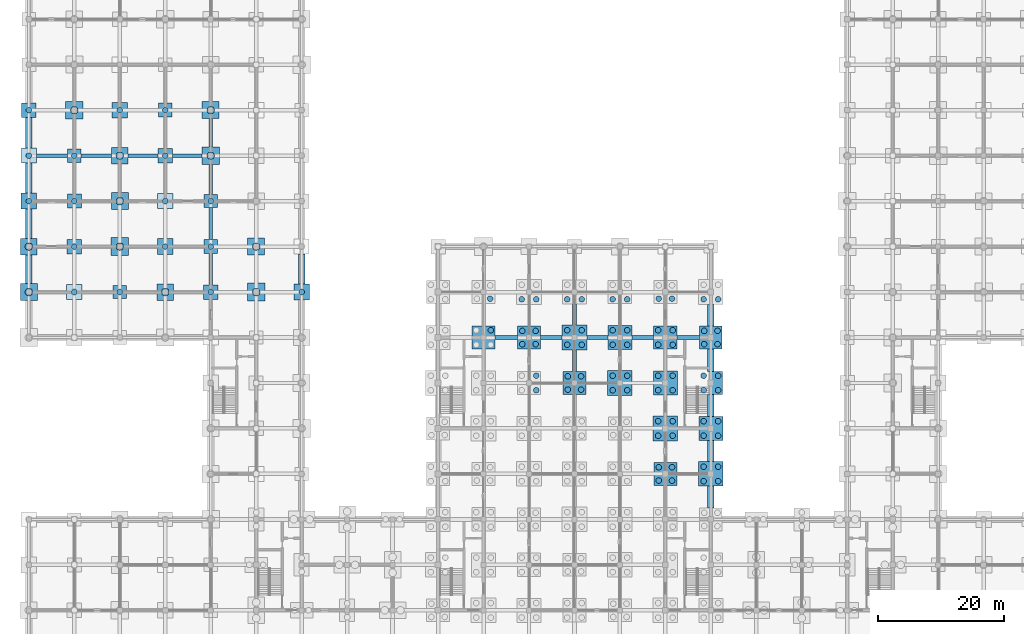
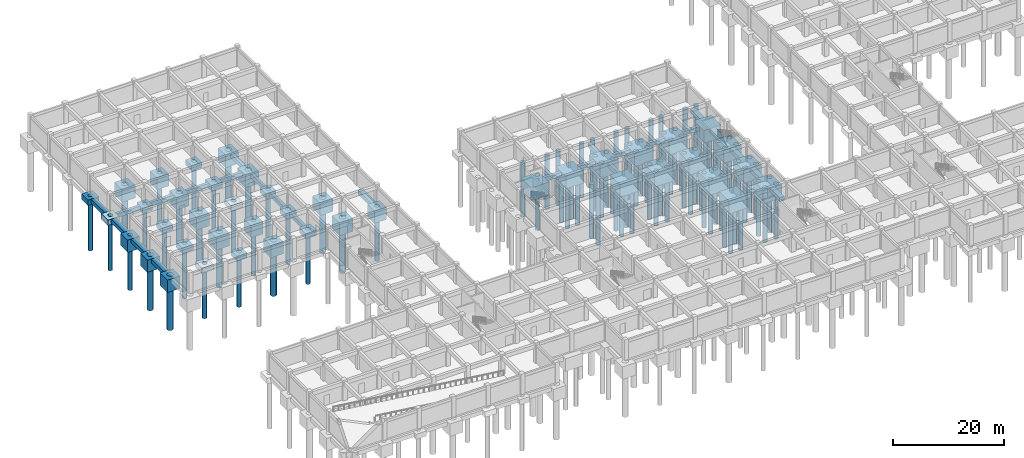
# One storey, part 4 of 25: 94 piles, 67 footings.
"""IFC4 building model written with IfcOpenShell, lengths in metres."""

import ifcopenshell
import ifcopenshell.guid

model = None  # the IFC model being written
_history = None  # IfcOwnerHistory: only IFC2X3 demands one
_inside = {}  # id of a spatial element -> (the spatial element, [elements in it])
_under = {}  # id of a project, library or spatial element -> (it, [spatial elements below it])
_declared = {}  # id of a project -> (the project, [libraries it declares])
_typed = {}  # id of a type object -> (the type object, [elements of that type])
_made_of = {}  # id of a material, layer set ... -> (it, [elements and type objects made of it])


def new_model(schema):
    """Start an empty IFC model of exactly this schema.

    Asked for "IFC4X3", IfcOpenShell would pick the latest addendum, in which some entities
    have other attributes; the version numbers below select the first issue.
    IFC2X3 requires an IfcOwnerHistory on every rooted entity: one is made here for all.
    """
    global model, _history
    if schema == "IFC4X3":
        model = ifcopenshell.file(schema_version=(4, 3, 0, 0))
    else:
        model = ifcopenshell.file(schema=schema)
    _inside.clear()
    _under.clear()
    _declared.clear()
    _typed.clear()
    _made_of.clear()
    _history = None
    if model.schema == "IFC2X3":
        org = make("IfcOrganization", Name="unknown")
        user = make(
            "IfcPersonAndOrganization",
            ThePerson=make("IfcPerson", FamilyName="unknown"),
            TheOrganization=org,
        )
        app = make(
            "IfcApplication",
            ApplicationDeveloper=org,
            Version="unknown",
            ApplicationFullName="unknown",
            ApplicationIdentifier="unknown",
        )
        _history = make(
            "IfcOwnerHistory",
            OwningUser=user,
            OwningApplication=app,
            ChangeAction="ADDED",
            CreationDate=0,
        )
    return model


def make(cls, **values):
    """One entity of the class cls with the attributes given. An attribute that is None is left unset."""
    return model.create_entity(
        cls, **{name: value for name, value in values.items() if value is not None}
    )


def rooted(cls, **values):
    """An entity with a GlobalId (a new one), such as an element, a storey or a relation."""
    return make(cls, GlobalId=ifcopenshell.guid.new(), OwnerHistory=_history, **values)


def si_unit(unit_type, name, prefix=None):
    """IfcSIUnit, for example si_unit("LENGTHUNIT", "METRE", prefix="MILLI")."""
    return make("IfcSIUnit", UnitType=unit_type, Prefix=prefix, Name=name)


def assignment(units):
    """IfcUnitAssignment: the units of a project."""
    return None if units is None else make("IfcUnitAssignment", Units=units)


def point(xyz):
    """IfcCartesianPoint."""
    return None if xyz is None else make("IfcCartesianPoint", Coordinates=xyz)


def direction(xyz):
    """IfcDirection."""
    return None if xyz is None else make("IfcDirection", DirectionRatios=xyz)


def frame(location, z_axis=None, x_axis=None):
    """IfcAxis2Placement3D, a coordinate frame: its origin and axes. An axis left out is left unset."""
    return make(
        "IfcAxis2Placement3D",
        Location=point(location),
        Axis=direction(z_axis),
        RefDirection=direction(x_axis),
    )


def frame_2d(location, x_axis=None):
    """IfcAxis2Placement2D, a coordinate frame in the plane: its origin and x axis."""
    return make(
        "IfcAxis2Placement2D", Location=point(location), RefDirection=direction(x_axis)
    )


def origin():
    """The frame at (0, 0, 0) with its axes left unset."""
    return frame((0.0, 0.0, 0.0))


def origin_2d():
    """The frame at (0, 0) in the plane with its x axis left unset."""
    return frame_2d((0.0, 0.0))


def place(relative_to, where):
    """IfcLocalPlacement: puts the frame where relative to a parent placement (None: the world)."""
    return make(
        "IfcLocalPlacement", PlacementRelTo=relative_to, RelativePlacement=where
    )


def context(
    kind, dimensions, precision=None, world=None, true_north=None, identifier=None
):
    """IfcGeometricRepresentationContext, for example the 3D "Model" context."""
    return make(
        "IfcGeometricRepresentationContext",
        ContextIdentifier=identifier,
        ContextType=kind,
        CoordinateSpaceDimension=dimensions,
        Precision=precision,
        WorldCoordinateSystem=world,
        TrueNorth=true_north,
    )


def subcontext(parent, identifier, kind, view, scale=None):
    """IfcGeometricRepresentationSubContext, for example "Body" below "Model"."""
    return make(
        "IfcGeometricRepresentationSubContext",
        ContextIdentifier=identifier,
        ContextType=kind,
        ParentContext=parent,
        TargetScale=scale,
        TargetView=view,
    )


def project(units=None, contexts=None):
    """IfcProject with its units and contexts."""
    return rooted(
        "IfcProject",
        Name="project",
        RepresentationContexts=contexts,
        UnitsInContext=assignment(units),
    )


def spatial(cls, under=None, at=None, **own):
    """A site, building, storey or space (cls), placed at a placement, below another one or the project."""
    s = rooted(cls, ObjectPlacement=at, **own)
    if under is not None:
        _under.setdefault(under.id(), (under, []))[1].append(s)
    return s


def profile(cls, at=None, kind="AREA", **sizes):
    """A parametric profile (cls). Its sizes go by their IFC names, for example OverallWidth=200.0."""
    return make(cls, ProfileType=kind, Position=at, **sizes)


def rectangle(**sizes):
    """IfcRectangleProfileDef."""
    return profile("IfcRectangleProfileDef", **sizes)


def circle(**sizes):
    """IfcCircleProfileDef."""
    return profile("IfcCircleProfileDef", **sizes)


def extrude(swept, where, along, depth):
    """IfcExtrudedAreaSolid: the profile swept, set in the frame where, extruded along a direction by depth."""
    return make(
        "IfcExtrudedAreaSolid",
        SweptArea=swept,
        Position=where,
        ExtrudedDirection=direction(along),
        Depth=depth,
    )


def shape(context_of_items, identifier, shape_type, items):
    """IfcShapeRepresentation: the items that make up one representation, for example the "Body"."""
    return make(
        "IfcShapeRepresentation",
        ContextOfItems=context_of_items,
        RepresentationIdentifier=identifier,
        RepresentationType=shape_type,
        Items=items,
    )


def material(Name=None, Category=None):
    """IfcMaterial."""
    return make("IfcMaterial", Name=Name, Category=Category)


def material_profile(
    of_material, cross_section, Name=None, Category=None, Priority=None
):
    """IfcMaterialProfile: a cross section and its material."""
    return make(
        "IfcMaterialProfile",
        Name=Name,
        Material=of_material,
        Profile=cross_section,
        Priority=Priority,
        Category=Category,
    )


def profile_set(profiles, Name=None, composite=None):
    """IfcMaterialProfileSet."""
    return make(
        "IfcMaterialProfileSet",
        Name=Name,
        MaterialProfiles=profiles,
        CompositeProfile=composite,
    )


def made_of(thing, what):
    """Note that an element or type object is made of a material, layer set ...; save() writes the relation."""
    if what is not None:
        _made_of.setdefault(what.id(), (what, []))[1].append(thing)
    return thing


def type_object(cls, material=None, **own):
    """A type object (cls), such as IfcWallType, which elements share."""
    return made_of(rooted(cls, **own), material)


def element(
    cls,
    number,
    at=None,
    inside=None,
    cuts=None,
    type_object=None,
    material=None,
    context=None,
    identifier="Body",
    shape_type=None,
    held_by="IfcProductDefinitionShape",
    body=None,
    shapes=None,
    **own,
):
    """One element of the class cls, such as IfcWall. Its Tag is "e" and its number.

    at: its placement. inside: the storey or other place that contains it. cuts: it is an
    opening in that element (IfcRelVoidsElement). A single representation is given by context,
    identifier, shape_type and body (its items); several are given by shapes. held_by: the class
    of the entity that holds the representations. save() writes the other relations.
    """
    e = rooted(cls, Tag="e%d" % number, ObjectPlacement=at, **own)
    if body is not None:
        shapes = [shape(context, identifier, shape_type, body)]
    if shapes is not None:
        e.Representation = make(held_by, Representations=shapes)
    if inside is not None:
        _inside.setdefault(inside.id(), (inside, []))[1].append(e)
    if cuts is not None:
        rooted(
            "IfcRelVoidsElement", RelatingBuildingElement=cuts, RelatedOpeningElement=e
        )
    if type_object is not None:
        _typed.setdefault(type_object.id(), (type_object, []))[1].append(e)
    return made_of(e, material)


def aggregate(whole, parts):
    """IfcRelAggregates: a whole, such as a stair, and the parts it consists of."""
    return rooted("IfcRelAggregates", RelatingObject=whole, RelatedObjects=parts)


def save(model, path):
    """Write the relations noted so far, then the file.

    IfcRelAggregates (storeys below a building ...), IfcRelContainedInSpatialStructure (elements
    in a storey), IfcRelDefinesByType, IfcRelAssociatesMaterial and IfcRelDeclares: one each for
    every whole, place, type object, material and project.
    """
    for whole, parts in _under.values():
        aggregate(whole, parts)
    for where, things in _inside.values():
        rooted(
            "IfcRelContainedInSpatialStructure",
            RelatedElements=things,
            RelatingStructure=where,
        )
    for kind, things in _typed.values():
        rooted("IfcRelDefinesByType", RelatedObjects=things, RelatingType=kind)
    for what, things in _made_of.values():
        rooted("IfcRelAssociatesMaterial", RelatedObjects=things, RelatingMaterial=what)
    for by, libraries in _declared.values():
        rooted("IfcRelDeclares", RelatingContext=by, RelatedDefinitions=libraries)
    model.write(path)


model = new_model("IFC4")

# Units and contexts
model_context = context("Model", 3, precision=1e-05, world=origin(), true_north=direction((0.0, 1.0)))
body_context = subcontext(model_context, "Body", "Model", "MODEL_VIEW")
ifc_project = project(units=[si_unit("LENGTHUNIT", "METRE"), si_unit("AREAUNIT", "SQUARE_METRE"), si_unit("VOLUMEUNIT", "CUBIC_METRE"), si_unit("PLANEANGLEUNIT", "RADIAN"), si_unit("MASSUNIT", "GRAM", prefix="KILO")], contexts=[model_context])

# Site, building, storey
site_placement = place(None, origin())
site = spatial("IfcSite", under=ifc_project, at=site_placement, CompositionType="ELEMENT")
building_placement = place(site_placement, origin())
building = spatial("IfcBuilding", under=site, at=building_placement, Name="Cendaluz Park School", CompositionType="ELEMENT")
storey_placement = place(building_placement, frame((0.0, 0.0, -4.5)))
storey = spatial("IfcBuildingStorey", under=building, at=storey_placement, Name="B1", CompositionType="ELEMENT", Elevation=-4.5)

# Piles
ifc_material = material(Name="Concrete C40/50", Category="concrete")
ifc_material_profile_1 = material_profile(ifc_material, circle(Radius=0.449951171875, at=origin_2d()), Name="BP D900", Category="concrete")
ifc_profile_set_1 = profile_set([ifc_material_profile_1], Name="Concrete C40/50")
pile_type_1 = type_object("IfcPileType", Name="BP-01", PredefinedType="BORED", material=ifc_profile_set_1)
for number, where, z_axis, x_axis, name in (
    (1, (0.0, 79.199951171875, -0.5), (0.0, 0.0, -1.0), (1.0, 0.0, 0.0), "PL-B1-009"),
    (2, (0.0, 86.39990234375, -0.5), (0.0, 0.0, -1.0), (1.0, 0.0, 0.0), "PL-B1-010"),
    (3, (0.0, 93.60009765625, -0.5), (0.0, 0.0, -1.0), (1.0, 0.0, 0.0), "PL-B1-011"),
    (4, (7.199951171875, 64.800048828125, -0.5), (0.0, 0.0, -1.0), (1.0, 0.0, 0.0), "PL-B1-021"),
    (5, (7.199951171875, 72.0, -0.5), (0.0, 0.0, -1.0), (1.0, 0.0, 0.0), "PL-B1-022"),
    (6, (7.199951171875, 79.199951171875, -0.5), (0.0, 0.0, -1.0), (1.0, 0.0, 0.0), "PL-B1-023"),
    (7, (7.199951171875, 86.39990234375, -0.5), (0.0, 0.0, -1.0), (1.0, 0.0, 0.0), "PL-B1-024"),
    (8, (14.39990234375, 64.800048828125, -0.5), (0.0, 0.0, -1.0), (1.0, 0.0, 0.0), "PL-B1-035"),
    (9, (14.39990234375, 93.60009765625, -0.5), (0.0, 0.0, -1.0), (1.0, 0.0, 0.0), "PL-B1-039"),
    (10, (21.60009765625, 72.0, -0.5), (0.0, 0.0, -1.0), (1.0, 0.0, 0.0), "PL-B1-050"),
    (11, (21.60009765625, 79.199951171875, -0.5), (0.0, 0.0, -1.0), (1.0, 0.0, 0.0), "PL-B1-051"),
    (12, (21.60009765625, 86.39990234375, -0.5), (0.0, 0.0, -1.0), (1.0, 0.0, 0.0), "PL-B1-052"),
    (13, (21.60009765625, 93.60009765625, -0.5), (0.0, 0.0, -1.0), (1.0, 0.0, 0.0), "PL-B1-053"),
    (14, (28.800048828125, 64.800048828125, -0.5), (0.0, 0.0, -1.0), (1.0, 0.0, 0.0), "PL-B1-066"),
    (15, (28.800048828125, 72.0, -0.5), (0.0, 0.0, -1.0), (1.0, 0.0, 0.0), "PL-B1-067"),
    (16, (28.800048828125, 79.199951171875, -0.5), (0.0, 0.0, -1.0), (1.0, 0.0, 0.0), "PL-B1-068"),
    (17, (43.199951171875, 64.800048828125, -0.5), (0.0, 0.0, -1.0), (1.0, 0.0, 0.0), "PL-B1-108"),
    (18, (73.14990234375, 58.75, -0.5), (0.0, 0.0, -1.0), (1.0, 0.0, 0.0), "PL-B1-199"),
    (19, (73.050048828125, 63.75, -0.5), (0.0, 0.0, -1.0), (1.0, 0.0, 0.0), "PL-B1-201"),
    (20, (80.35009765625, 49.25, -0.5), (0.0, 0.0, -1.0), (1.0, 0.0, 0.0), "PL-B1-229"),
    (21, (80.35009765625, 51.550048828125, -0.5), (0.0, 0.0, -1.0), (1.0, 0.0, 0.0), "PL-B1-231"),
    (22, (78.14990234375, 56.550048828125, -0.5), (0.0, 0.0, -1.0), (1.0, 0.0, 0.0), "PL-B1-232"),
    (23, (80.25, 56.550048828125, -0.5), (0.0, 0.0, -1.0), (1.0, 0.0, 0.0), "PL-B1-233"),
    (24, (78.14990234375, 58.64990234375, -0.5), (0.0, 0.0, -1.0), (1.0, 0.0, 0.0), "PL-B1-234"),
    (25, (80.25, 58.64990234375, -0.5), (0.0, 0.0, -1.0), (1.0, 0.0, 0.0), "PL-B1-235"),
    (26, (78.050048828125, 63.64990234375, -0.5), (0.0, 0.0, -1.0), (1.0, 0.0, 0.0), "PL-B1-236"),
    (27, (80.35009765625, 63.64990234375, -0.5), (0.0, 0.0, -1.0), (1.0, 0.0, 0.0), "PL-B1-237"),
    (28, (85.35009765625, 49.35009765625, -0.5), (0.0, 0.0, -1.0), (1.0, 0.0, 0.0), "PL-B1-264"),
    (29, (87.449951171875, 49.35009765625, -0.5), (0.0, 0.0, -1.0), (1.0, 0.0, 0.0), "PL-B1-265"),
    (30, (85.35009765625, 51.449951171875, -0.5), (0.0, 0.0, -1.0), (1.0, 0.0, 0.0), "PL-B1-266"),
    (31, (87.449951171875, 51.449951171875, -0.5), (0.0, 0.0, -1.0), (1.0, 0.0, 0.0), "PL-B1-267"),
    (32, (85.25, 56.449951171875, -0.5), (0.0, 0.0, -1.0), (1.0, 0.0, 0.0), "PL-B1-268"),
    (33, (87.550048828125, 56.449951171875, -0.5), (0.0, 0.0, -1.0), (1.0, 0.0, 0.0), "PL-B1-269"),
    (34, (85.25, 58.75, -0.5), (0.0, 0.0, -1.0), (1.0, 0.0, 0.0), "PL-B1-270"),
    (35, (87.550048828125, 58.75, -0.5), (0.0, 0.0, -1.0), (1.0, 0.0, 0.0), "PL-B1-271"),
    (36, (85.25, 63.64990234375, -0.5), (0.0, 0.0, -1.0), (1.0, 0.0, 0.0), "PL-B1-272"),
    (37, (87.550048828125, 63.64990234375, -0.5), (0.0, 0.0, -1.0), (1.0, 0.0, 0.0), "PL-B1-273"),
    (38, (92.449951171875, 49.25, -0.5), (0.0, 0.0, -1.0), (1.0, 0.0, 0.0), "PL-B1-300"),
    (39, (94.75, 49.25, -0.5), (0.0, 0.0, -1.0), (1.0, 0.0, 0.0), "PL-B1-301"),
    (40, (92.449951171875, 51.550048828125, -0.5), (0.0, 0.0, -1.0), (1.0, 0.0, 0.0), "PL-B1-302"),
    (41, (94.75, 51.550048828125, -0.5), (0.0, 0.0, -1.0), (1.0, 0.0, 0.0), "PL-B1-303"),
    (42, (92.449951171875, 56.449951171875, -0.5), (0.0, 0.0, -1.0), (1.0, 0.0, 0.0), "PL-B1-304"),
    (43, (94.75, 56.449951171875, -0.5), (0.0, 0.0, -1.0), (1.0, 0.0, 0.0), "PL-B1-305"),
    (44, (92.449951171875, 58.75, -0.5), (0.0, 0.0, -1.0), (1.0, 0.0, 0.0), "PL-B1-306"),
    (45, (94.75, 58.75, -0.5), (0.0, 0.0, -1.0), (1.0, 0.0, 0.0), "PL-B1-307"),
    (46, (92.449951171875, 63.64990234375, -0.5), (0.0, 0.0, -1.0), (1.0, 0.0, 0.0), "PL-B1-308"),
    (47, (94.75, 63.64990234375, -0.5), (0.0, 0.0, -1.0), (1.0, 0.0, 0.0), "PL-B1-309"),
    (48, (99.75, 34.949951171875, -0.5), (0.0, 0.0, -1.0), (1.0, 0.0, 0.0), "PL-B1-328"),
    (49, (101.85009765625, 34.949951171875, -0.5), (0.0, 0.0, -1.0), (1.0, 0.0, 0.0), "PL-B1-329"),
    (50, (99.75, 37.050048828125, -0.5), (0.0, 0.0, -1.0), (1.0, 0.0, 0.0), "PL-B1-330"),
    (51, (101.85009765625, 37.050048828125, -0.5), (0.0, 0.0, -1.0), (1.0, 0.0, 0.0), "PL-B1-331"),
    (52, (99.64990234375, 42.050048828125, -0.5), (0.0, 0.0, -1.0), (1.0, 0.0, 0.0), "PL-B1-332"),
    (53, (101.949951171875, 42.050048828125, -0.5), (0.0, 0.0, -1.0), (1.0, 0.0, 0.0), "PL-B1-333"),
    (54, (99.64990234375, 44.35009765625, -0.5), (0.0, 0.0, -1.0), (1.0, 0.0, 0.0), "PL-B1-334"),
    (55, (101.949951171875, 44.35009765625, -0.5), (0.0, 0.0, -1.0), (1.0, 0.0, 0.0), "PL-B1-335"),
    (56, (99.64990234375, 49.25, -0.5), (0.0, 0.0, -1.0), (1.0, 0.0, 0.0), "PL-B1-336"),
    (57, (101.949951171875, 49.25, -0.5), (0.0, 0.0, -1.0), (1.0, 0.0, 0.0), "PL-B1-337"),
    (58, (99.64990234375, 51.550048828125, -0.5), (0.0, 0.0, -1.0), (1.0, 0.0, 0.0), "PL-B1-338"),
    (59, (101.949951171875, 51.550048828125, -0.5), (0.0, 0.0, -1.0), (1.0, 0.0, 0.0), "PL-B1-339"),
    (60, (99.64990234375, 56.449951171875, -0.5), (0.0, 0.0, -1.0), (1.0, 0.0, 0.0), "PL-B1-340"),
    (61, (101.949951171875, 56.449951171875, -0.5), (0.0, 0.0, -1.0), (1.0, 0.0, 0.0), "PL-B1-341"),
    (62, (99.64990234375, 58.75, -0.5), (0.0, 0.0, -1.0), (1.0, 0.0, 0.0), "PL-B1-342"),
    (63, (101.949951171875, 58.75, -0.5), (0.0, 0.0, -1.0), (1.0, 0.0, 0.0), "PL-B1-343"),
    (64, (99.75, 63.75, -0.5), (0.0, 0.0, -1.0), (1.0, 0.0, 0.0), "PL-B1-344"),
    (65, (101.85009765625, 63.75, -0.5), (0.0, 0.0, -1.0), (1.0, 0.0, 0.0), "PL-B1-345"),
    (66, (106.85009765625, 34.85009765625, -0.5), (0.0, 0.0, -1.0), (1.0, 0.0, 0.0), "PL-B1-364"),
    (67, (109.14990234375, 34.85009765625, -0.5), (0.0, 0.0, -1.0), (1.0, 0.0, 0.0), "PL-B1-365"),
    (68, (106.85009765625, 37.14990234375, -0.5), (0.0, 0.0, -1.0), (1.0, 0.0, 0.0), "PL-B1-366"),
    (69, (109.14990234375, 37.14990234375, -0.5), (0.0, 0.0, -1.0), (1.0, 0.0, 0.0), "PL-B1-367"),
    (70, (106.85009765625, 42.050048828125, -0.5), (0.0, 0.0, -1.0), (1.0, 0.0, 0.0), "PL-B1-368"),
    (71, (109.14990234375, 42.050048828125, -0.5), (0.0, 0.0, -1.0), (1.0, 0.0, 0.0), "PL-B1-369"),
    (72, (106.85009765625, 44.35009765625, -0.5), (0.0, 0.0, -1.0), (1.0, 0.0, 0.0), "PL-B1-370"),
    (73, (109.14990234375, 44.35009765625, -0.5), (0.0, 0.0, -1.0), (1.0, 0.0, 0.0), "PL-B1-371"),
    (74, (106.85009765625, 49.25, -0.5), (0.0, 0.0, -1.0), (1.0, 0.0, 0.0), "PL-B1-372"),
    (75, (109.14990234375, 49.25, -0.5), (0.0, 0.0, -1.0), (1.0, 0.0, 0.0), "PL-B1-373"),
    (76, (106.85009765625, 51.550048828125, -0.5), (0.0, 0.0, -1.0), (1.0, 0.0, 0.0), "PL-B1-374"),
    (77, (109.14990234375, 51.550048828125, -0.5), (0.0, 0.0, -1.0), (1.0, 0.0, 0.0), "PL-B1-375"),
    (78, (106.949951171875, 56.550048828125, -0.5), (0.0, 0.0, -1.0), (1.0, 0.0, 0.0), "PL-B1-376"),
    (79, (109.050048828125, 56.550048828125, -0.5), (0.0, 0.0, -1.0), (1.0, 0.0, 0.0), "PL-B1-377"),
    (80, (106.949951171875, 58.64990234375, -0.5), (0.0, 0.0, -1.0), (1.0, 0.0, 0.0), "PL-B1-378"),
    (81, (109.050048828125, 58.64990234375, -0.5), (0.0, 0.0, -1.0), (1.0, 0.0, 0.0), "PL-B1-379"),
    (82, (106.85009765625, 63.64990234375, -0.5), (0.0, 0.0, -1.0), (1.0, 0.0, 0.0), "PL-B1-380"),
    (83, (109.14990234375, 63.64990234375, -0.5), (0.0, 0.0, -1.0), (1.0, 0.0, 0.0), "PL-B1-381"),
):
    element("IfcPile", number, at=place(storey_placement, frame(where, z_axis=z_axis, x_axis=x_axis)), inside=storey, type_object=pile_type_1, Name=name, PredefinedType="BORED", context=body_context, shape_type="SweptSolid", body=[
        extrude(circle(Radius=0.449951171875, at=origin_2d()), origin(), (0.0, 0.0, 1.0), 12.0),
    ])
ifc_material_profile_2 = material_profile(ifc_material, circle(Radius=0.60009765625, at=origin_2d()), Name="BP D1200", Category="concrete")
ifc_profile_set_2 = profile_set([ifc_material_profile_2], Name="Concrete C40/50")
pile_type_2 = type_object("IfcPileType", Name="BP-02", PredefinedType="BORED", material=ifc_profile_set_2)
for number, where, z_axis, x_axis, name in (
    (84, (0.0, 64.800048828125, -0.5), (0.0, 0.0, -1.0), (1.0, 0.0, 0.0), "PL-B1-007"),
    (85, (0.0, 72.0, -0.5), (0.0, 0.0, -1.0), (1.0, 0.0, 0.0), "PL-B1-008"),
    (86, (7.199951171875, 93.60009765625, -0.5), (0.0, 0.0, -1.0), (1.0, 0.0, 0.0), "PL-B1-025"),
    (87, (14.39990234375, 72.0, -0.5), (0.0, 0.0, -1.0), (1.0, 0.0, 0.0), "PL-B1-036"),
    (88, (14.39990234375, 79.199951171875, -0.5), (0.0, 0.0, -1.0), (1.0, 0.0, 0.0), "PL-B1-037"),
    (89, (14.39990234375, 86.39990234375, -0.5), (0.0, 0.0, -1.0), (1.0, 0.0, 0.0), "PL-B1-038"),
    (90, (21.60009765625, 64.800048828125, -0.5), (0.0, 0.0, -1.0), (1.0, 0.0, 0.0), "PL-B1-049"),
    (91, (28.800048828125, 86.39990234375, -0.5), (0.0, 0.0, -1.0), (1.0, 0.0, 0.0), "PL-B1-069"),
    (92, (28.800048828125, 93.60009765625, -0.5), (0.0, 0.0, -1.0), (1.0, 0.0, 0.0), "PL-B1-070"),
    (93, (36.0, 64.800048828125, -0.5), (0.0, 0.0, -1.0), (1.0, 0.0, 0.0), "PL-B1-087"),
    (94, (36.0, 72.0, -0.5), (0.0, 0.0, -1.0), (1.0, 0.0, 0.0), "PL-B1-088"),
):
    element("IfcPile", number, at=place(storey_placement, frame(where, z_axis=z_axis, x_axis=x_axis)), inside=storey, type_object=pile_type_2, Name=name, PredefinedType="BORED", context=body_context, shape_type="SweptSolid", body=[
        extrude(circle(Radius=0.60009765625, at=origin_2d()), origin(), (0.0, 0.0, 1.0), 12.0),
    ])

# Footings
footing_type_1 = type_object("IfcFootingType", Name="FB-X335", PredefinedType="FOOTING_BEAM", material=ifc_material)
footing_1_placement = place(storey_placement, frame((90.02490234375, 57.60009765625, -1.39990234375), z_axis=(0.0, 0.0, 1.0), x_axis=(1.0, 0.0, 0.0)))
element("IfcFooting", 95, at=footing_1_placement, inside=storey, type_object=footing_type_1, Name="FT-B1-360", PredefinedType="FOOTING_BEAM", context=body_context, shape_type="SweptSolid", body=[
    extrude(rectangle(XDim=3.35009765625, YDim=0.60009765625, at=origin_2d()), origin(), (0.0, 0.0, 1.0), 0.89990234375),
])
footing_type_2 = type_object("IfcFootingType", Name="FB-X345", PredefinedType="FOOTING_BEAM", material=ifc_material)
for number, where, z_axis, x_axis, name in (
    (96, (82.72509765625, 57.60009765625, -1.39990234375), (0.0, 0.0, 1.0), (1.0, 0.0, 0.0), "FT-B1-356"),
    (97, (97.22509765625, 57.60009765625, -1.39990234375), (0.0, 0.0, 1.0), (1.0, 0.0, 0.0), "FT-B1-364"),
):
    element("IfcFooting", number, at=place(storey_placement, frame(where, z_axis=z_axis, x_axis=x_axis)), inside=storey, type_object=footing_type_2, Name=name, PredefinedType="FOOTING_BEAM", context=body_context, shape_type="SweptSolid", body=[
        extrude(rectangle(XDim=3.449951171875, YDim=0.60009765625, at=origin_2d()), origin(), (0.0, 0.0, 1.0), 0.89990234375),
    ])
footing_type_3 = type_object("IfcFootingType", Name="FB-X355", PredefinedType="FOOTING_BEAM", material=ifc_material)
for number, where, z_axis, x_axis, name in (
    (98, (75.625, 57.60009765625, -1.39990234375), (0.0, 0.0, 1.0), (1.0, 0.0, 0.0), "FT-B1-352"),
    (99, (104.425048828125, 57.60009765625, -1.39990234375), (0.0, 0.0, 1.0), (1.0, 0.0, 0.0), "FT-B1-368"),
):
    element("IfcFooting", number, at=place(storey_placement, frame(where, z_axis=z_axis, x_axis=x_axis)), inside=storey, type_object=footing_type_3, Name=name, PredefinedType="FOOTING_BEAM", context=body_context, shape_type="SweptSolid", body=[
        extrude(rectangle(XDim=3.550048828125, YDim=0.60009765625, at=origin_2d()), origin(), (0.0, 0.0, 1.0), 0.89990234375),
    ])
footing_type_4 = type_object("IfcFootingType", Name="FB-X465", PredefinedType="FOOTING_BEAM", material=ifc_material)
footing_2_placement = place(storey_placement, frame((25.074951171875, 86.39990234375, -1.39990234375), z_axis=(0.0, 0.0, 1.0), x_axis=(1.0, 0.0, 0.0)))
element("IfcFooting", 100, at=footing_2_placement, inside=storey, type_object=footing_type_4, Name="FT-B1-328", PredefinedType="FOOTING_BEAM", context=body_context, shape_type="SweptSolid", body=[
    extrude(rectangle(XDim=4.64990234375, YDim=0.60009765625, at=origin_2d()), origin(), (0.0, 0.0, 1.0), 0.89990234375),
])
footing_type_5 = type_object("IfcFootingType", Name="FB-X475", PredefinedType="FOOTING_BEAM", material=ifc_material)
footing_3_placement = place(storey_placement, frame((18.074951171875, 86.39990234375, -1.39990234375), z_axis=(0.0, 0.0, 1.0), x_axis=(1.0, 0.0, 0.0)))
element("IfcFooting", 101, at=footing_3_placement, inside=storey, type_object=footing_type_5, Name="FT-B1-323", PredefinedType="FOOTING_BEAM", context=body_context, shape_type="SweptSolid", body=[
    extrude(rectangle(XDim=4.75, YDim=0.60009765625, at=origin_2d()), origin(), (0.0, 0.0, 1.0), 0.89990234375),
])
footing_type_6 = type_object("IfcFootingType", Name="FB-X485", PredefinedType="FOOTING_BEAM", material=ifc_material)
footing_4_placement = place(storey_placement, frame((10.675048828125, 86.39990234375, -1.39990234375), z_axis=(0.0, 0.0, 1.0), x_axis=(1.0, 0.0, 0.0)))
element("IfcFooting", 102, at=footing_4_placement, inside=storey, type_object=footing_type_6, Name="FT-B1-318", PredefinedType="FOOTING_BEAM", context=body_context, shape_type="SweptSolid", body=[
    extrude(rectangle(XDim=4.85009765625, YDim=0.60009765625, at=origin_2d()), origin(), (0.0, 0.0, 1.0), 0.89990234375),
])
footing_type_7 = type_object("IfcFootingType", Name="FB-X495", PredefinedType="FOOTING_BEAM", material=ifc_material)
footing_5_placement = place(storey_placement, frame((3.675048828125, 86.39990234375, -1.39990234375), z_axis=(0.0, 0.0, 1.0), x_axis=(1.0, 0.0, 0.0)))
element("IfcFooting", 103, at=footing_5_placement, inside=storey, type_object=footing_type_7, Name="FT-B1-313", PredefinedType="FOOTING_BEAM", context=body_context, shape_type="SweptSolid", body=[
    extrude(rectangle(XDim=4.949951171875, YDim=0.60009765625, at=origin_2d()), origin(), (0.0, 0.0, 1.0), 0.89990234375),
])
footing_type_8 = type_object("IfcFootingType", Name="FB-Y335", PredefinedType="FOOTING_BEAM", material=ifc_material)
footing_6_placement = place(storey_placement, frame((86.39990234375, 61.22509765625, -1.39990234375), z_axis=(0.0, 0.0, 1.0), x_axis=(1.0, 0.0, 0.0)))
element("IfcFooting", 104, at=footing_6_placement, inside=storey, type_object=footing_type_8, Name="FT-B1-465", PredefinedType="FOOTING_BEAM", context=body_context, shape_type="SweptSolid", body=[
    extrude(rectangle(XDim=0.60009765625, YDim=3.35009765625, at=origin_2d()), origin(), (0.0, 0.0, 1.0), 0.89990234375),
])
footing_type_9 = type_object("IfcFootingType", Name="FB-Y345", PredefinedType="FOOTING_BEAM", material=ifc_material)
footing_7_placement = place(storey_placement, frame((86.39990234375, 53.925048828125, -1.39990234375), z_axis=(0.0, 0.0, 1.0), x_axis=(1.0, 0.0, 0.0)))
element("IfcFooting", 105, at=footing_7_placement, inside=storey, type_object=footing_type_9, Name="FT-B1-464", PredefinedType="FOOTING_BEAM", context=body_context, shape_type="SweptSolid", body=[
    extrude(rectangle(XDim=0.60009765625, YDim=3.449951171875, at=origin_2d()), origin(), (0.0, 0.0, 1.0), 0.89990234375),
])
footing_type_10 = type_object("IfcFootingType", Name="FB-Y445", PredefinedType="FOOTING_BEAM", material=ifc_material)
footing_8_placement = place(storey_placement, frame((28.800048828125, 90.02490234375, -1.39990234375), z_axis=(0.0, 0.0, 1.0), x_axis=(1.0, 0.0, 0.0)))
element("IfcFooting", 106, at=footing_8_placement, inside=storey, type_object=footing_type_10, Name="FT-B1-430", PredefinedType="FOOTING_BEAM", context=body_context, shape_type="SweptSolid", body=[
    extrude(rectangle(XDim=0.60009765625, YDim=4.449951171875, at=origin_2d()), origin(), (0.0, 0.0, 1.0), 0.89990234375),
])
footing_type_11 = type_object("IfcFootingType", Name="FB-Y475", PredefinedType="FOOTING_BEAM", material=ifc_material)
footing_9_placement = place(storey_placement, frame((28.800048828125, 82.625, -1.39990234375), z_axis=(0.0, 0.0, 1.0), x_axis=(1.0, 0.0, 0.0)))
element("IfcFooting", 107, at=footing_9_placement, inside=storey, type_object=footing_type_11, Name="FT-B1-429", PredefinedType="FOOTING_BEAM", context=body_context, shape_type="SweptSolid", body=[
    extrude(rectangle(XDim=0.60009765625, YDim=4.75, at=origin_2d()), origin(), (0.0, 0.0, 1.0), 0.89990234375),
])
footing_type_12 = type_object("IfcFootingType", Name="FB-Y495", PredefinedType="FOOTING_BEAM", material=ifc_material)
footing_10_placement = place(storey_placement, frame((28.800048828125, 68.425048828125, -1.39990234375), z_axis=(0.0, 0.0, 1.0), x_axis=(1.0, 0.0, 0.0)))
element("IfcFooting", 108, at=footing_10_placement, inside=storey, type_object=footing_type_12, Name="FT-B1-427", PredefinedType="FOOTING_BEAM", context=body_context, shape_type="SweptSolid", body=[
    extrude(rectangle(XDim=0.60009765625, YDim=4.949951171875, at=origin_2d()), origin(), (0.0, 0.0, 1.0), 0.89990234375),
])
footing_type_13 = type_object("IfcFootingType", Name="FB-Y505", PredefinedType="FOOTING_BEAM", material=ifc_material)
footing_11_placement = place(storey_placement, frame((28.800048828125, 75.625, -1.39990234375), z_axis=(0.0, 0.0, 1.0), x_axis=(1.0, 0.0, 0.0)))
element("IfcFooting", 109, at=footing_11_placement, inside=storey, type_object=footing_type_13, Name="FT-B1-428", PredefinedType="FOOTING_BEAM", context=body_context, shape_type="SweptSolid", body=[
    extrude(rectangle(XDim=0.60009765625, YDim=5.050048828125, at=origin_2d()), origin(), (0.0, 0.0, 1.0), 0.89990234375),
])
footing_type_14 = type_object("IfcFootingType", Name="PC-01", PredefinedType="PILE_CAP", material=ifc_material)
for number, where, z_axis, x_axis, name in (
    (110, (86.39990234375, 57.60009765625, -3.4501953125), (0.0, 0.0, 1.0), (1.0, 0.0, 0.0), "FT-B1-158"),
    (111, (93.60009765625, 50.39990234375, -3.4501953125), (0.0, 0.0, 1.0), (1.0, 0.0, 0.0), "FT-B1-168"),
    (112, (100.800048828125, 43.199951171875, -3.4501953125), (0.0, 0.0, 1.0), (1.0, 0.0, 0.0), "FT-B1-178"),
    (113, (108.0, 36.0, -3.4501953125), (0.0, 0.0, 1.0), (1.0, 0.0, 0.0), "FT-B1-188"),
):
    element("IfcFooting", number, at=place(storey_placement, frame(where, z_axis=z_axis, x_axis=x_axis)), inside=storey, type_object=footing_type_14, Name=name, PredefinedType="PILE_CAP", context=body_context, shape_type="SweptSolid", body=[
        extrude(rectangle(XDim=3.89990234375, YDim=3.89990234375, at=origin_2d()), origin(), (0.0, 0.0, 1.0), 2.949951171875),
    ])
footing_type_15 = type_object("IfcFootingType", Name="PC-02", PredefinedType="PILE_CAP", material=ifc_material)
for number, where, z_axis, x_axis, name in (
    (114, (93.60009765625, 57.60009765625, -3.39990234375), (0.0, 0.0, 1.0), (1.0, 0.0, 0.0), "FT-B1-169"),
    (115, (100.800048828125, 50.39990234375, -3.39990234375), (0.0, 0.0, 1.0), (1.0, 0.0, 0.0), "FT-B1-179"),
    (116, (108.0, 43.199951171875, -3.39990234375), (0.0, 0.0, 1.0), (1.0, 0.0, 0.0), "FT-B1-189"),
):
    element("IfcFooting", number, at=place(storey_placement, frame(where, z_axis=z_axis, x_axis=x_axis)), inside=storey, type_object=footing_type_15, Name=name, PredefinedType="PILE_CAP", context=body_context, shape_type="SweptSolid", body=[
        extrude(rectangle(XDim=3.800048828125, YDim=3.800048828125, at=origin_2d()), origin(), (0.0, 0.0, 1.0), 2.89990234375),
    ])
footing_type_16 = type_object("IfcFootingType", Name="PC-03", PredefinedType="PILE_CAP", material=ifc_material)
for number, where, z_axis, x_axis, name in (
    (117, (72.0, 57.60009765625, -3.35009765625), (0.0, 0.0, 1.0), (1.0, 0.0, 0.0), "FT-B1-136"),
    (118, (100.800048828125, 57.60009765625, -3.35009765625), (0.0, 0.0, 1.0), (1.0, 0.0, 0.0), "FT-B1-180"),
    (119, (108.0, 50.39990234375, -3.35009765625), (0.0, 0.0, 1.0), (1.0, 0.0, 0.0), "FT-B1-190"),
):
    element("IfcFooting", number, at=place(storey_placement, frame(where, z_axis=z_axis, x_axis=x_axis)), inside=storey, type_object=footing_type_16, Name=name, PredefinedType="PILE_CAP", context=body_context, shape_type="SweptSolid", body=[
        extrude(rectangle(XDim=3.699951171875, YDim=3.699951171875, at=origin_2d()), origin(), (0.0, 0.0, 1.0), 2.85009765625),
    ])
footing_type_17 = type_object("IfcFootingType", Name="PC-04", PredefinedType="PILE_CAP", material=ifc_material)
for number, where, z_axis, x_axis, name in (
    (120, (79.199951171875, 57.60009765625, -3.2998046875), (0.0, 0.0, 1.0), (1.0, 0.0, 0.0), "FT-B1-147"),
    (121, (86.39990234375, 50.39990234375, -3.2998046875), (0.0, 0.0, 1.0), (1.0, 0.0, 0.0), "FT-B1-157"),
    (122, (100.800048828125, 36.0, -3.2998046875), (0.0, 0.0, 1.0), (1.0, 0.0, 0.0), "FT-B1-177"),
    (123, (108.0, 57.60009765625, -3.2998046875), (0.0, 0.0, 1.0), (1.0, 0.0, 0.0), "FT-B1-191"),
):
    element("IfcFooting", number, at=place(storey_placement, frame(where, z_axis=z_axis, x_axis=x_axis)), inside=storey, type_object=footing_type_17, Name=name, PredefinedType="PILE_CAP", context=body_context, shape_type="SweptSolid", body=[
        extrude(rectangle(XDim=3.60009765625, YDim=3.60009765625, at=origin_2d()), origin(), (0.0, 0.0, 1.0), 2.800048828125),
    ])
footing_type_18 = type_object("IfcFootingType", Name="PC-09", PredefinedType="PILE_CAP", material=ifc_material)
for number, where, z_axis, x_axis, name in (
    (124, (7.199951171875, 93.60009765625, -3.25), (0.0, 0.0, 1.0), (1.0, 0.0, 0.0), "FT-B1-025"),
    (125, (14.39990234375, 72.0, -3.25), (0.0, 0.0, 1.0), (1.0, 0.0, 0.0), "FT-B1-036"),
    (126, (28.800048828125, 86.39990234375, -3.25), (0.0, 0.0, 1.0), (1.0, 0.0, 0.0), "FT-B1-069"),
    (127, (36.0, 64.800048828125, -3.25), (0.0, 0.0, 1.0), (1.0, 0.0, 0.0), "FT-B1-083"),
):
    element("IfcFooting", number, at=place(storey_placement, frame(where, z_axis=z_axis, x_axis=x_axis)), inside=storey, type_object=footing_type_18, Name=name, PredefinedType="PILE_CAP", context=body_context, shape_type="SweptSolid", body=[
        extrude(rectangle(XDim=2.800048828125, YDim=2.800048828125, at=origin_2d()), origin(), (0.0, 0.0, 1.0), 2.75),
    ])
footing_type_19 = type_object("IfcFootingType", Name="PC-10", PredefinedType="PILE_CAP", material=ifc_material)
for number, where, z_axis, x_axis, name in (
    (128, (0.0, 64.800048828125, -3.25), (0.0, 0.0, 1.0), (1.0, 0.0, 0.0), "FT-B1-007"),
    (129, (14.39990234375, 79.199951171875, -3.25), (0.0, 0.0, 1.0), (1.0, 0.0, 0.0), "FT-B1-037"),
    (130, (28.800048828125, 93.60009765625, -3.25), (0.0, 0.0, 1.0), (1.0, 0.0, 0.0), "FT-B1-070"),
    (131, (36.0, 72.0, -3.25), (0.0, 0.0, 1.0), (1.0, 0.0, 0.0), "FT-B1-084"),
):
    element("IfcFooting", number, at=place(storey_placement, frame(where, z_axis=z_axis, x_axis=x_axis)), inside=storey, type_object=footing_type_19, Name=name, PredefinedType="PILE_CAP", context=body_context, shape_type="SweptSolid", body=[
        extrude(rectangle(XDim=2.699951171875, YDim=2.699951171875, at=origin_2d()), origin(), (0.0, 0.0, 1.0), 2.75),
    ])
footing_type_20 = type_object("IfcFootingType", Name="PC-11", PredefinedType="PILE_CAP", material=ifc_material)
for number, where, z_axis, x_axis, name in (
    (132, (0.0, 72.0, -3.2001953125), (0.0, 0.0, 1.0), (1.0, 0.0, 0.0), "FT-B1-008"),
    (133, (14.39990234375, 86.39990234375, -3.2001953125), (0.0, 0.0, 1.0), (1.0, 0.0, 0.0), "FT-B1-038"),
    (134, (21.60009765625, 64.800048828125, -3.2001953125), (0.0, 0.0, 1.0), (1.0, 0.0, 0.0), "FT-B1-049"),
):
    element("IfcFooting", number, at=place(storey_placement, frame(where, z_axis=z_axis, x_axis=x_axis)), inside=storey, type_object=footing_type_20, Name=name, PredefinedType="PILE_CAP", context=body_context, shape_type="SweptSolid", body=[
        extrude(rectangle(XDim=2.60009765625, YDim=2.60009765625, at=origin_2d()), origin(), (0.0, 0.0, 1.0), 2.699951171875),
    ])
footing_type_21 = type_object("IfcFootingType", Name="PC-12", PredefinedType="PILE_CAP", material=ifc_material)
for number, where, z_axis, x_axis, name in (
    (135, (0.0, 79.199951171875, -3.2001953125), (0.0, 0.0, 1.0), (1.0, 0.0, 0.0), "FT-B1-009"),
    (136, (14.39990234375, 93.60009765625, -3.2001953125), (0.0, 0.0, 1.0), (1.0, 0.0, 0.0), "FT-B1-039"),
    (137, (21.60009765625, 72.0, -3.2001953125), (0.0, 0.0, 1.0), (1.0, 0.0, 0.0), "FT-B1-050"),
    (138, (43.199951171875, 64.800048828125, -3.2001953125), (0.0, 0.0, 1.0), (1.0, 0.0, 0.0), "FT-B1-100"),
):
    element("IfcFooting", number, at=place(storey_placement, frame(where, z_axis=z_axis, x_axis=x_axis)), inside=storey, type_object=footing_type_21, Name=name, PredefinedType="PILE_CAP", context=body_context, shape_type="SweptSolid", body=[
        extrude(rectangle(XDim=2.5, YDim=2.5, at=origin_2d()), origin(), (0.0, 0.0, 1.0), 2.699951171875),
    ])
footing_type_22 = type_object("IfcFootingType", Name="PC-13", PredefinedType="PILE_CAP", material=ifc_material)
for number, where, z_axis, x_axis, name in (
    (139, (0.0, 86.39990234375, -1.7001953125), (0.0, 0.0, 1.0), (1.0, 0.0, 0.0), "FT-B1-010"),
    (140, (7.199951171875, 64.800048828125, -1.7001953125), (0.0, 0.0, 1.0), (1.0, 0.0, 0.0), "FT-B1-021"),
    (141, (21.60009765625, 79.199951171875, -1.7001953125), (0.0, 0.0, 1.0), (1.0, 0.0, 0.0), "FT-B1-051"),
):
    element("IfcFooting", number, at=place(storey_placement, frame(where, z_axis=z_axis, x_axis=x_axis)), inside=storey, type_object=footing_type_22, Name=name, PredefinedType="PILE_CAP", context=body_context, shape_type="SweptSolid", body=[
        extrude(rectangle(XDim=2.39990234375, YDim=2.39990234375, at=origin_2d()), origin(), (0.0, 0.0, 1.0), 1.199951171875),
    ])
footing_type_23 = type_object("IfcFootingType", Name="PC-14", PredefinedType="PILE_CAP", material=ifc_material)
for number, where, z_axis, x_axis, name in (
    (142, (0.0, 93.60009765625, -1.7001953125), (0.0, 0.0, 1.0), (1.0, 0.0, 0.0), "FT-B1-011"),
    (143, (7.199951171875, 72.0, -1.7001953125), (0.0, 0.0, 1.0), (1.0, 0.0, 0.0), "FT-B1-022"),
    (144, (21.60009765625, 86.39990234375, -1.7001953125), (0.0, 0.0, 1.0), (1.0, 0.0, 0.0), "FT-B1-052"),
    (145, (28.800048828125, 64.800048828125, -1.7001953125), (0.0, 0.0, 1.0), (1.0, 0.0, 0.0), "FT-B1-066"),
):
    element("IfcFooting", number, at=place(storey_placement, frame(where, z_axis=z_axis, x_axis=x_axis)), inside=storey, type_object=footing_type_23, Name=name, PredefinedType="PILE_CAP", context=body_context, shape_type="SweptSolid", body=[
        extrude(rectangle(XDim=2.300048828125, YDim=2.300048828125, at=origin_2d()), origin(), (0.0, 0.0, 1.0), 1.199951171875),
    ])
footing_type_24 = type_object("IfcFootingType", Name="PC-15", PredefinedType="PILE_CAP", material=ifc_material)
for number, where, z_axis, x_axis, name in (
    (146, (7.199951171875, 79.199951171875, -1.64990234375), (0.0, 0.0, 1.0), (1.0, 0.0, 0.0), "FT-B1-023"),
    (147, (21.60009765625, 93.60009765625, -1.64990234375), (0.0, 0.0, 1.0), (1.0, 0.0, 0.0), "FT-B1-053"),
    (148, (28.800048828125, 72.0, -1.64990234375), (0.0, 0.0, 1.0), (1.0, 0.0, 0.0), "FT-B1-067"),
):
    element("IfcFooting", number, at=place(storey_placement, frame(where, z_axis=z_axis, x_axis=x_axis)), inside=storey, type_object=footing_type_24, Name=name, PredefinedType="PILE_CAP", context=body_context, shape_type="SweptSolid", body=[
        extrude(rectangle(XDim=2.199951171875, YDim=2.199951171875, at=origin_2d()), origin(), (0.0, 0.0, 1.0), 1.14990234375),
    ])
footing_type_25 = type_object("IfcFootingType", Name="PC-16", PredefinedType="PILE_CAP", material=ifc_material)
for number, where, z_axis, x_axis, name in (
    (149, (7.199951171875, 86.39990234375, -1.64990234375), (0.0, 0.0, 1.0), (1.0, 0.0, 0.0), "FT-B1-024"),
    (150, (14.39990234375, 64.800048828125, -1.64990234375), (0.0, 0.0, 1.0), (1.0, 0.0, 0.0), "FT-B1-035"),
    (151, (28.800048828125, 79.199951171875, -1.64990234375), (0.0, 0.0, 1.0), (1.0, 0.0, 0.0), "FT-B1-068"),
):
    element("IfcFooting", number, at=place(storey_placement, frame(where, z_axis=z_axis, x_axis=x_axis)), inside=storey, type_object=footing_type_25, Name=name, PredefinedType="PILE_CAP", context=body_context, shape_type="SweptSolid", body=[
        extrude(rectangle(XDim=2.10009765625, YDim=2.10009765625, at=origin_2d()), origin(), (0.0, 0.0, 1.0), 1.14990234375),
    ])
footing_type_26 = type_object("IfcFootingType", Name="SF-Y335", PredefinedType="STRIP_FOOTING", material=ifc_material)
footing_12_placement = place(storey_placement, frame((108.0, 39.625, -1.39990234375), z_axis=(0.0, 0.0, 1.0), x_axis=(1.0, 0.0, 0.0)))
element("IfcFooting", 152, at=footing_12_placement, inside=storey, type_object=footing_type_26, Name="FT-B1-468", PredefinedType="STRIP_FOOTING", context=body_context, shape_type="SweptSolid", body=[
    extrude(rectangle(XDim=1.0, YDim=3.35009765625, at=origin_2d()), origin(), (0.0, 0.0, 1.0), 0.89990234375),
])
footing_type_27 = type_object("IfcFootingType", Name="SF-Y345", PredefinedType="STRIP_FOOTING", material=ifc_material)
for number, where, z_axis, x_axis, name in (
    (153, (108.0, 32.324951171875, -1.39990234375), (0.0, 0.0, 1.0), (1.0, 0.0, 0.0), "FT-B1-467"),
    (154, (108.0, 46.824951171875, -1.39990234375), (0.0, 0.0, 1.0), (1.0, 0.0, 0.0), "FT-B1-469"),
    (155, (108.0, 61.125, -1.39990234375), (0.0, 0.0, 1.0), (1.0, 0.0, 0.0), "FT-B1-471"),
):
    element("IfcFooting", number, at=place(storey_placement, frame(where, z_axis=z_axis, x_axis=x_axis)), inside=storey, type_object=footing_type_27, Name=name, PredefinedType="STRIP_FOOTING", context=body_context, shape_type="SweptSolid", body=[
        extrude(rectangle(XDim=1.0, YDim=3.449951171875, at=origin_2d()), origin(), (0.0, 0.0, 1.0), 0.89990234375),
    ])
footing_type_28 = type_object("IfcFootingType", Name="SF-Y355", PredefinedType="STRIP_FOOTING", material=ifc_material)
footing_13_placement = place(storey_placement, frame((108.0, 54.02490234375, -1.39990234375), z_axis=(0.0, 0.0, 1.0), x_axis=(1.0, 0.0, 0.0)))
element("IfcFooting", 156, at=footing_13_placement, inside=storey, type_object=footing_type_28, Name="FT-B1-470", PredefinedType="STRIP_FOOTING", context=body_context, shape_type="SweptSolid", body=[
    extrude(rectangle(XDim=1.0, YDim=3.550048828125, at=origin_2d()), origin(), (0.0, 0.0, 1.0), 0.89990234375),
])
footing_type_29 = type_object("IfcFootingType", Name="SF-Y455", PredefinedType="STRIP_FOOTING", material=ifc_material)
footing_14_placement = place(storey_placement, frame((0.0, 68.425048828125, -1.39990234375), z_axis=(0.0, 0.0, 1.0), x_axis=(1.0, 0.0, 0.0)))
element("IfcFooting", 157, at=footing_14_placement, inside=storey, type_object=footing_type_29, Name="FT-B1-411", PredefinedType="STRIP_FOOTING", context=body_context, shape_type="SweptSolid", body=[
    extrude(rectangle(XDim=1.0, YDim=4.550048828125, at=origin_2d()), origin(), (0.0, 0.0, 1.0), 0.89990234375),
])
footing_type_30 = type_object("IfcFootingType", Name="SF-Y465", PredefinedType="STRIP_FOOTING", material=ifc_material)
footing_15_placement = place(storey_placement, frame((0.0, 75.625, -1.39990234375), z_axis=(0.0, 0.0, 1.0), x_axis=(1.0, 0.0, 0.0)))
element("IfcFooting", 158, at=footing_15_placement, inside=storey, type_object=footing_type_30, Name="FT-B1-412", PredefinedType="STRIP_FOOTING", context=body_context, shape_type="SweptSolid", body=[
    extrude(rectangle(XDim=1.0, YDim=4.64990234375, at=origin_2d()), origin(), (0.0, 0.0, 1.0), 0.89990234375),
])
footing_type_31 = type_object("IfcFootingType", Name="SF-Y475", PredefinedType="STRIP_FOOTING", material=ifc_material)
for number, where, z_axis, x_axis, name in (
    (159, (0.0, 82.824951171875, -1.39990234375), (0.0, 0.0, 1.0), (1.0, 0.0, 0.0), "FT-B1-413"),
    (160, (43.199951171875, 68.425048828125, -1.39990234375), (0.0, 0.0, 1.0), (1.0, 0.0, 0.0), "FT-B1-440"),
):
    element("IfcFooting", number, at=place(storey_placement, frame(where, z_axis=z_axis, x_axis=x_axis)), inside=storey, type_object=footing_type_31, Name=name, PredefinedType="STRIP_FOOTING", context=body_context, shape_type="SweptSolid", body=[
        extrude(rectangle(XDim=1.0, YDim=4.75, at=origin_2d()), origin(), (0.0, 0.0, 1.0), 0.89990234375),
    ])
footing_type_32 = type_object("IfcFootingType", Name="SF-Y485", PredefinedType="STRIP_FOOTING", material=ifc_material)
footing_16_placement = place(storey_placement, frame((0.0, 90.02490234375, -1.39990234375), z_axis=(0.0, 0.0, 1.0), x_axis=(1.0, 0.0, 0.0)))
element("IfcFooting", 161, at=footing_16_placement, inside=storey, type_object=footing_type_32, Name="FT-B1-414", PredefinedType="STRIP_FOOTING", context=body_context, shape_type="SweptSolid", body=[
    extrude(rectangle(XDim=1.0, YDim=4.85009765625, at=origin_2d()), origin(), (0.0, 0.0, 1.0), 0.89990234375),
])

save(model, "model.ifc")
